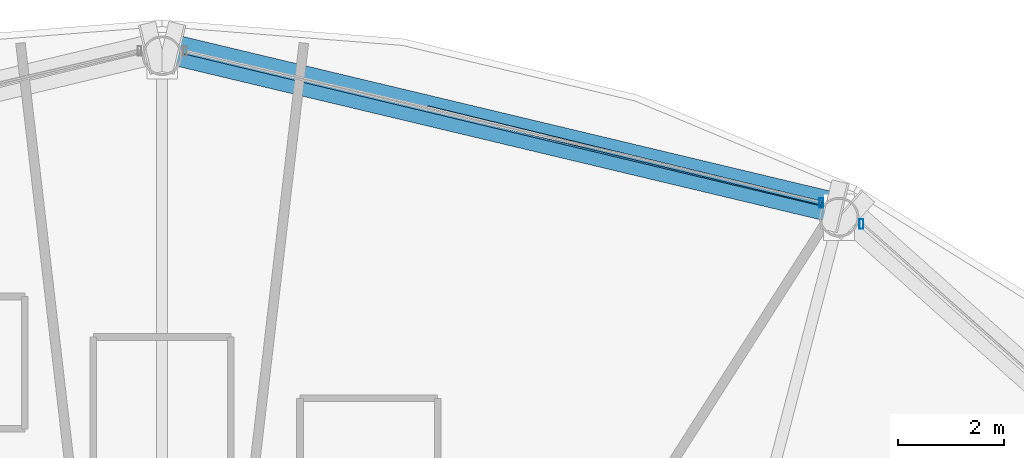
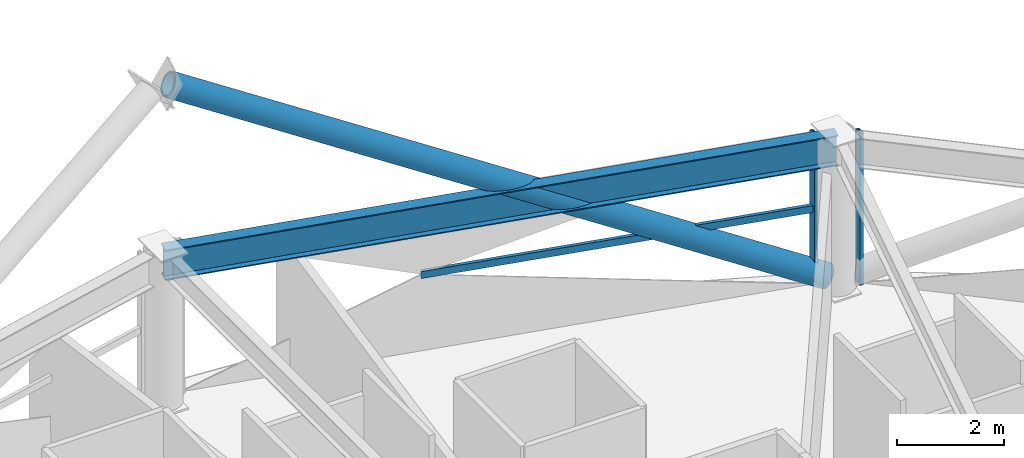
# One storey, part 20 of 32: 4 members, 1 beam, 2 elements without a shape of their own.
"""IFC4 building model written with IfcOpenShell, lengths in metres."""

from ifc_helpers import new_model, si_unit, direction, frame, origin, origin_2d, place, context, subcontext, project, spatial, hollow_rectangle, hollow_circle, i_section, extrude, material, layer, layer_set, material_profile, profile_set, type_object, element, aggregate, save


model = new_model("IFC4")

# Units and contexts
model_context = context("Model", 3, precision=1e-05, world=origin(), true_north=direction((0.0, 1.0)))
body_context = subcontext(model_context, "Body", "Model", "MODEL_VIEW")
ifc_project = project(units=[si_unit("LENGTHUNIT", "METRE"), si_unit("AREAUNIT", "SQUARE_METRE"), si_unit("VOLUMEUNIT", "CUBIC_METRE"), si_unit("PLANEANGLEUNIT", "RADIAN"), si_unit("MASSUNIT", "GRAM", prefix="KILO")], contexts=[model_context])

# Site, building, storey
site_placement = place(None, origin())
site = spatial("IfcSite", under=ifc_project, at=site_placement, CompositionType="ELEMENT")
building_placement = place(site_placement, origin())
building = spatial("IfcBuilding", under=site, at=building_placement, Name="Vantalir Tower", CompositionType="ELEMENT")
storey_placement = place(building_placement, frame((0.0, 0.0, 104.699951171875)))
storey = spatial("IfcBuildingStorey", under=building, at=storey_placement, Name="L25", CompositionType="ELEMENT", Elevation=104.699951171875)

# Beam
ifc_material_1 = material(Name="Steel S460", Category="steel")
ifc_material_profile_1 = material_profile(ifc_material_1, i_section(OverallWidth=0.256103515625, OverallDepth=0.693115234375, WebThickness=0.014404296875, FlangeThickness=0.023681640625, at=origin_2d()), Name="Steel S460")
ifc_profile_set_1 = profile_set([ifc_material_profile_1], Name="Steel S460")
beam_type = type_object("IfcBeamType", Name="BM-RG-686x254", PredefinedType="USERDEFINED", material=ifc_profile_set_1)
beam_placement = place(storey_placement, frame((44.2939453125, 44.735107421875, 3.22314453125), z_axis=(-0.972689585219, 0.232109824883, 0.0), x_axis=(-0.232109824883, -0.972689585219, 0.0)))
element("IfcBeam", 1, at=beam_placement, inside=storey, type_object=beam_type, Name="L25 Circumferential Ring Girder 03", ObjectType="GIRDER", PredefinedType="USERDEFINED", context=body_context, shape_type="SweptSolid", body=[
    extrude(i_section(OverallWidth=0.256103515625, OverallDepth=0.693115234375, WebThickness=0.014404296875, FlangeThickness=0.023681640625, at=origin_2d()), origin(), (0.0, 0.0, 1.0), 13.153076171875),
])

# Curtain wall, member
ifc_material_2 = material(Name="Champagne-silver PVDF aluminium and double-silver Low-E glass", Category="aluminium")
ifc_layer = layer(ifc_material_2, 0.199951171875)
ifc_layer_set = layer_set([ifc_layer], Name="Champagne-silver PVDF aluminium and double-silver Low-E glass")
curtain_wall_type = type_object("IfcCurtainWallType", Name="CW-DIAMOND-Z2", PredefinedType="USERDEFINED", material=ifc_layer_set)
curtain_wall_1_placement = place(storey_placement, origin())
curtain_wall_1 = element("IfcCurtainWall", 2, at=curtain_wall_1_placement, inside=storey, type_object=curtain_wall_type, Name="L25 Quilted Pyramid-Diamond Curtain Wall S02", ObjectType="UNITISED CURTAIN WALL", PredefinedType="USERDEFINED")
ifc_material_3 = material(Name="Champagne-silver PVDF aluminium 6063-T6", Category="aluminium")
ifc_material_profile_2 = material_profile(ifc_material_3, hollow_rectangle(XDim=0.074951171875, YDim=0.179931640625, WallThickness=0.00390625, at=origin_2d()), Name="Champagne-silver PVDF aluminium 6063-T6")
ifc_profile_set_2 = profile_set([ifc_material_profile_2], Name="Champagne-silver PVDF aluminium 6063-T6")
member_type_1 = type_object("IfcMemberType", Name="CWM-180x75", PredefinedType="MULLION", material=ifc_profile_set_2)
member_1_placement = place(storey_placement, frame((44.717041015625, 44.60693359375, 0.045166015625), z_axis=(0.0, 0.0, 1.0), x_axis=(1.0, 0.0, 0.0)))
member_1 = element("IfcMember", 3, at=member_1_placement, type_object=member_type_1, Name="CW-L25-S02 Mullion 2", PredefinedType="MULLION", context=body_context, shape_type="SweptSolid", body=[
    extrude(hollow_rectangle(XDim=0.074951171875, YDim=0.179931640625, WallThickness=0.00390625, at=origin_2d()), origin(), (0.0, 0.0, 1.0), 3.47998046875),
])
aggregate(curtain_wall_1, [member_1])

# Curtain wall, members
curtain_wall_2_placement = place(storey_placement, origin())
curtain_wall_2 = element("IfcCurtainWall", 4, at=curtain_wall_2_placement, inside=storey, type_object=curtain_wall_type, Name="L25 Quilted Pyramid-Diamond Curtain Wall S03", ObjectType="UNITISED CURTAIN WALL", PredefinedType="USERDEFINED")
member_2_placement = place(storey_placement, frame((43.9609375, 45.001953125, 0.045166015625), z_axis=(0.0, 0.0, 1.0), x_axis=(1.0, 0.0, 0.0)))
member_2 = element("IfcMember", 5, at=member_2_placement, type_object=member_type_1, Name="CW-L25-S03 Mullion 1", PredefinedType="MULLION", context=body_context, shape_type="SweptSolid", body=[
    extrude(hollow_rectangle(XDim=0.074951171875, YDim=0.179931640625, WallThickness=0.00390625, at=origin_2d()), origin(), (0.0, 0.0, 1.0), 3.47998046875),
])
ifc_material_profile_3 = material_profile(ifc_material_3, hollow_rectangle(XDim=0.074951171875, YDim=0.159912109375, WallThickness=0.00390625, at=origin_2d()), Name="Champagne-silver PVDF aluminium 6063-T6")
ifc_profile_set_3 = profile_set([ifc_material_profile_3], Name="Champagne-silver PVDF aluminium 6063-T6")
member_type_2 = type_object("IfcMemberType", Name="CWT-160x75", PredefinedType="USERDEFINED", material=ifc_profile_set_3)
member_3_placement = place(storey_placement, frame((43.9609375, 45.001953125, 1.78515625), z_axis=(-0.971918748, 0.235316695725, 0.0), x_axis=(-0.235316695725, -0.971918748, 0.0)))
member_3 = element("IfcMember", 6, at=member_3_placement, type_object=member_type_2, Name="CW-L25-S03 Pyramid Fold Ridge Transom", ObjectType="TRANSOM", PredefinedType="USERDEFINED", context=body_context, shape_type="SweptSolid", body=[
    extrude(hollow_rectangle(XDim=0.074951171875, YDim=0.159912109375, WallThickness=0.00390625, at=origin_2d()), origin(), (0.0, 0.0, 1.0), 7.670166015625),
])
aggregate(curtain_wall_2, [member_2, member_3])

# Member
ifc_material_profile_4 = material_profile(ifc_material_1, hollow_circle(Radius=0.260009765625, WallThickness=0.0380859375, at=origin_2d()), Name="Steel S460")
ifc_profile_set_4 = profile_set([ifc_material_profile_4], Name="Steel S460")
member_type_3 = type_object("IfcMemberType", Name="MEM-DB-520x38", PredefinedType="BRACE", material=ifc_profile_set_4)
member_4_placement = place(storey_placement, frame((44.200927734375, 44.945068359375, 0.18505859375), z_axis=(-0.855759229525, 0.204351690831, 0.47530677203), x_axis=(-0.232265303293, -0.972652470765, 0.0)))
element("IfcMember", 7, at=member_4_placement, inside=storey, type_object=member_type_3, Name="L25 Perimeter S460 Diagrid Brace R07L", PredefinedType="BRACE", context=body_context, shape_type="SweptSolid", body=[
    extrude(hollow_circle(Radius=0.260009765625, WallThickness=0.0380859375, at=origin_2d()), origin(), (0.0, 0.0, 1.0), 14.6220703125),
])

save(model, "model.ifc")
